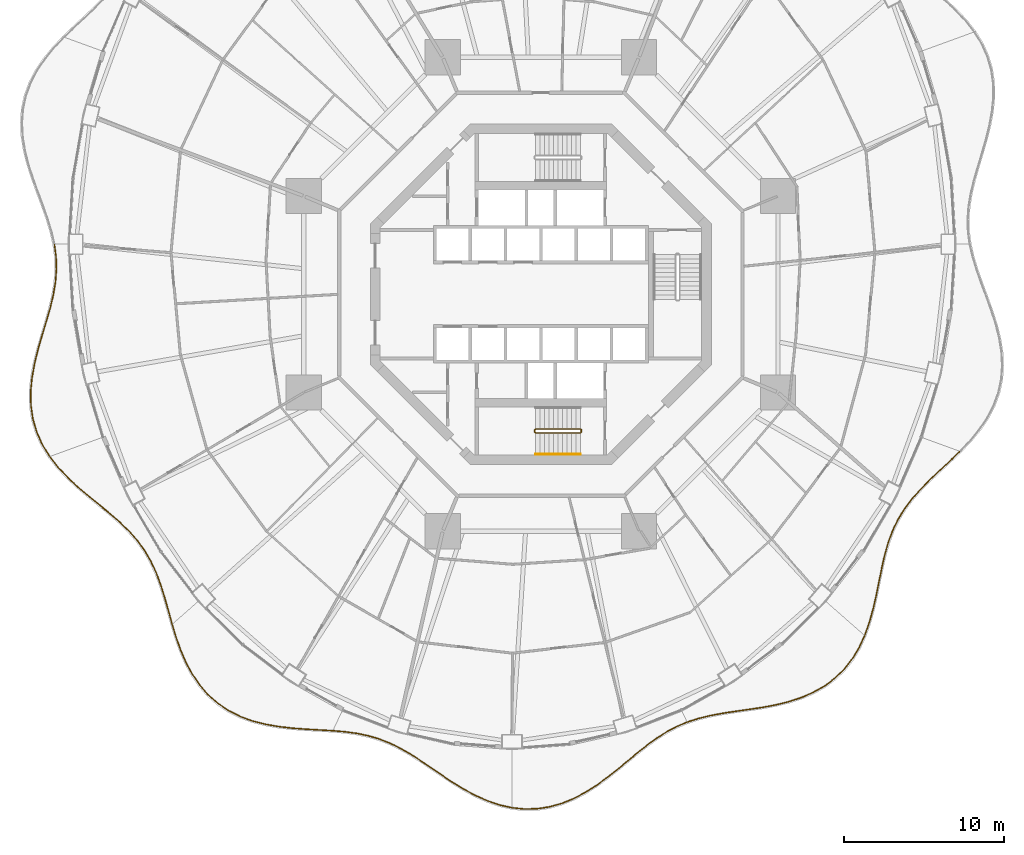
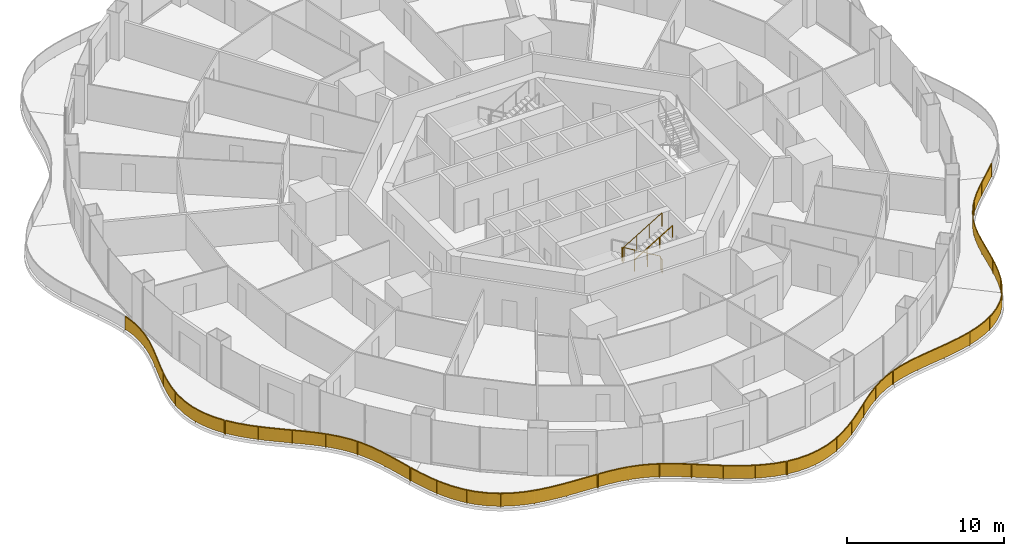
# One storey, part 22 of 24: 9 railings.
"""IFC4 building model written with IfcOpenShell, lengths in metres."""

from ifc_helpers import new_model, si_unit, direction, frame, origin, origin_2d, place, context, subcontext, project, spatial, polyline, rectangle, circle, outline, extrude, material, type_object, element, save


model = new_model("IFC4")

# Units and contexts
model_context = context("Model", 3, precision=1e-05, world=origin(), true_north=direction((0.0, 1.0)))
body_context = subcontext(model_context, "Body", "Model", "MODEL_VIEW")
ifc_project = project(units=[si_unit("LENGTHUNIT", "METRE"), si_unit("AREAUNIT", "SQUARE_METRE"), si_unit("VOLUMEUNIT", "CUBIC_METRE"), si_unit("PLANEANGLEUNIT", "RADIAN"), si_unit("MASSUNIT", "GRAM", prefix="KILO")], contexts=[model_context])

# Site, building, storey
site_placement = place(None, origin())
site = spatial("IfcSite", under=ifc_project, at=site_placement, CompositionType="ELEMENT")
building_placement = place(site_placement, origin())
building = spatial("IfcBuilding", under=site, at=building_placement, Name="Nagisa Residences", CompositionType="ELEMENT")
storey_placement = place(building_placement, frame((0.0, 0.0, 102.89990234375)))
storey = spatial("IfcBuildingStorey", under=building, at=storey_placement, Name="L25", CompositionType="ELEMENT", Elevation=102.89990234375)

# Railings
ifc_material_1 = material(Name="Stainless steel 316", Category="steel")
railing_type_1 = type_object("IfcRailingType", Name="BALCONY GUARD 1100", PredefinedType="BALUSTRADE", material=ifc_material_1)
railing_1_placement = place(storey_placement, frame((-30.3291015625, 3.0830078125, 0.0)))
element("IfcRailing", 1, at=railing_1_placement, inside=storey, type_object=railing_type_1, Name="guard:L25:bal08-0", PredefinedType="BALUSTRADE", context=body_context, shape_type="SweptSolid", body=[
    extrude(outline(polyline([(0.125732421875, -0.743896484375), (0.02490234375, 0.00341796875), (-0.02490234375, -0.00341796875), (0.075927734375, -0.747802734375), (0.098876953125, -1.53271484375), (0.0400390625, -2.3232421875), (-0.09423828125, -3.12548828125), (-0.28955078125, -3.94384765625), (-0.529052734375, -4.766845703125), (-0.78662109375, -5.62255859375), (-1.038330078125, -6.494384765625), (-1.25732421875, -7.378662109375), (-1.419189453125, -8.268310546875), (-1.50439453125, -9.141357421875), (-1.489013671875, -10.016357421875), (-1.3642578125, -10.8701171875), (-1.12451171875, -11.69384765625), (-0.771728515625, -12.48046875), (-0.336669921875, -13.184326171875), (-0.294189453125, -13.157958984375), (-0.727294921875, -12.45703125), (-1.07763671875, -11.6767578125), (-1.3154296875, -10.859375), (-1.439208984375, -10.012451171875), (-1.4541015625, -9.143310546875), (-1.369384765625, -8.275146484375), (-1.20849609375, -7.389404296875), (-0.989990234375, -6.507568359375), (-0.73876953125, -5.63671875), (-0.481201171875, -4.781005859375), (-0.2412109375, -3.95654296875), (-0.044921875, -3.13525390625), (0.08984375, -2.3291015625), (0.149169921875, -1.53369140625), (0.125732421875, -0.743896484375)])), frame((0.0, 0.0, 1.050048828125)), (0.0, 0.0, 1.0), 0.050048828125),
    extrude(outline(polyline([(0.10791015625, -0.745361328125), (0.0068359375, 0.0009765625), (-0.0068359375, -0.0009765625), (0.09375, -0.746337890625), (0.116943359375, -1.532958984375), (0.05810546875, -2.325439453125), (-0.076416015625, -3.12890625), (-0.272216796875, -3.948486328125), (-0.51171875, -4.77197265625), (-0.76953125, -5.627685546875), (-1.02099609375, -6.499267578125), (-1.23974609375, -7.382568359375), (-1.401123046875, -8.270751953125), (-1.486328125, -9.14208984375), (-1.47119140625, -10.014892578125), (-1.3466796875, -10.8662109375), (-1.107666015625, -11.687744140625), (-0.755615234375, -12.471923828125), (-0.3212890625, -13.1748046875), (-0.3095703125, -13.16748046875), (-0.743408203125, -12.465576171875), (-1.094482421875, -11.682861328125), (-1.3330078125, -10.86328125), (-1.45703125, -10.013916015625), (-1.47216796875, -9.142578125), (-1.387451171875, -8.272705078125), (-1.22607421875, -7.385498046875), (-1.00732421875, -6.502685546875), (-0.755859375, -5.631591796875), (-0.49853515625, -4.77587890625), (-0.258544921875, -3.951904296875), (-0.062744140625, -3.1318359375), (0.07177734375, -2.326904296875), (0.131103515625, -1.533447265625), (0.10791015625, -0.745361328125)])), frame((0.0, 0.0, 0.06005859375)), (0.0, 0.0, 1.0), 0.989990234375),
    extrude(rectangle(XDim=0.0400390625, YDim=0.0400390625, at=origin_2d()), origin(), (0.0, 0.0, 1.0), 1.050048828125),
    extrude(rectangle(XDim=0.0400390625, YDim=0.0400390625, at=origin_2d()), frame((0.06982421875, -2.259033203125, 0.0)), (0.0, 0.0, 1.0), 1.050048828125),
    extrude(rectangle(XDim=0.0400390625, YDim=0.0400390625, at=origin_2d()), frame((-0.4169921875, -4.471435546875, 0.0)), (0.0, 0.0, 1.0), 1.050048828125),
    extrude(rectangle(XDim=0.0400390625, YDim=0.0400390625, at=origin_2d()), frame((-1.05078125, -6.649169921875, 0.0)), (0.0, 0.0, 1.0), 1.050048828125),
    extrude(rectangle(XDim=0.0400390625, YDim=0.0400390625, at=origin_2d()), frame((-1.453369140625, -8.877685546875, 0.0)), (0.0, 0.0, 1.0), 1.050048828125),
    extrude(rectangle(XDim=0.0400390625, YDim=0.0400390625, at=origin_2d()), frame((-1.26416015625, -11.124755859375, 0.0)), (0.0, 0.0, 1.0), 1.050048828125),
    extrude(rectangle(XDim=0.0400390625, YDim=0.0400390625, at=origin_2d()), frame((-0.3154296875, -13.171142578125, 0.0)), (0.0, 0.0, 1.0), 1.050048828125),
])
railing_2_placement = place(storey_placement, frame((-30.599853515625, -10.1513671875, 0.0)))
element("IfcRailing", 2, at=railing_2_placement, inside=storey, type_object=railing_type_1, Name="guard:L25:bal09-0", PredefinedType="BALUSTRADE", context=body_context, shape_type="SweptSolid", body=[
    extrude(outline(polyline([(0.52197265625, -0.6240234375), (0.019775390625, 0.015380859375), (-0.019775390625, -0.015380859375), (0.48388671875, -0.65673828125), (1.08349609375, -1.2958984375), (1.73095703125, -1.89892578125), (2.404296875, -2.472412109375), (3.081298828125, -3.025390625), (3.734130859375, -3.55615234375), (4.357177734375, -4.10205078125), (4.93017578125, -4.662353515625), (5.44287109375, -5.247802734375), (5.890625, -5.86767578125), (6.26611328125, -6.516845703125), (6.5927734375, -7.2236328125), (6.872802734375, -7.9755859375), (7.120849609375, -8.768310546875), (7.354248046875, -9.593505859375), (7.577392578125, -10.395751953125), (7.625732421875, -10.382568359375), (7.402587890625, -9.579833984375), (7.168701171875, -8.754150390625), (6.920166015625, -7.95947265625), (6.63916015625, -7.20458984375), (6.310546875, -6.493896484375), (5.9326171875, -5.84033203125), (5.48193359375, -5.216552734375), (4.966796875, -4.627685546875), (4.391357421875, -4.0654296875), (3.766357421875, -3.51806640625), (3.113037109375, -2.98681640625), (2.4365234375, -2.433837890625), (1.76416015625, -1.861328125), (1.11865234375, -1.26025390625), (0.52197265625, -0.6240234375)])), frame((0.0, 0.0, 1.050048828125)), (0.0, 0.0, 1.0), 0.050048828125),
    extrude(outline(polyline([(0.50830078125, -0.6357421875), (0.005615234375, 0.00439453125), (-0.005615234375, -0.00439453125), (0.49755859375, -0.64501953125), (1.09619140625, -1.282958984375), (1.742919921875, -1.88525390625), (2.416015625, -2.45849609375), (3.0927734375, -3.011474609375), (3.745849609375, -3.54248046875), (4.36962890625, -4.0888671875), (4.943359375, -4.64990234375), (5.45703125, -5.236572265625), (5.90576171875, -5.85791015625), (6.2822265625, -6.508544921875), (6.609619140625, -7.216796875), (6.889892578125, -7.9697265625), (7.13818359375, -8.76318359375), (7.37158203125, -9.588623046875), (7.5947265625, -10.39111328125), (7.6083984375, -10.38720703125), (7.38525390625, -9.584716796875), (7.1513671875, -8.75927734375), (6.903076171875, -7.96533203125), (6.622314453125, -7.21142578125), (6.29443359375, -6.502197265625), (5.91748046875, -5.85009765625), (5.4677734375, -5.227783203125), (4.95361328125, -4.64013671875), (4.37890625, -4.07861328125), (3.754638671875, -3.53173828125), (3.1015625, -3.000732421875), (2.4248046875, -2.44775390625), (1.752197265625, -1.875), (1.10595703125, -1.273193359375), (0.50830078125, -0.6357421875)])), frame((0.0, 0.0, 0.06005859375)), (0.0, 0.0, 1.0), 0.989990234375),
    extrude(rectangle(XDim=0.0400390625, YDim=0.0400390625, at=origin_2d()), origin(), (0.0, 0.0, 1.0), 1.050048828125),
    extrude(rectangle(XDim=0.0400390625, YDim=0.0400390625, at=origin_2d()), frame((1.4765625, -1.6279296875, 0.0)), (0.0, 0.0, 1.0), 1.050048828125),
    extrude(rectangle(XDim=0.0400390625, YDim=0.0400390625, at=origin_2d()), frame((3.154541015625, -3.052734375, 0.0)), (0.0, 0.0, 1.0), 1.050048828125),
    extrude(rectangle(XDim=0.0400390625, YDim=0.0400390625, at=origin_2d()), frame((4.806640625, -4.50634765625, 0.0)), (0.0, 0.0, 1.0), 1.050048828125),
    extrude(rectangle(XDim=0.0400390625, YDim=0.0400390625, at=origin_2d()), frame((6.139892578125, -6.248779296875, 0.0)), (0.0, 0.0, 1.0), 1.050048828125),
    extrude(rectangle(XDim=0.0400390625, YDim=0.0400390625, at=origin_2d()), frame((6.9921875, -8.2734375, 0.0)), (0.0, 0.0, 1.0), 1.050048828125),
    extrude(rectangle(XDim=0.0400390625, YDim=0.0400390625, at=origin_2d()), frame((7.6015625, -10.38916015625, 0.0)), (0.0, 0.0, 1.0), 1.050048828125),
])
railing_3_placement = place(storey_placement, frame((-22.978271484375, -20.6142578125, 0.0)))
element("IfcRailing", 3, at=railing_3_placement, inside=storey, type_object=railing_type_1, Name="guard:L25:bal10-0", PredefinedType="BALUSTRADE", context=body_context, shape_type="SweptSolid", body=[
    extrude(outline(polyline([(0.255859375, -0.760498046875), (0.02392578125, 0.00732421875), (-0.02392578125, -0.00732421875), (0.20849609375, -0.776123046875), (0.49365234375, -1.578369140625), (0.828857421875, -2.355224609375), (1.22509765625, -3.09130859375), (1.689697265625, -3.77294921875), (2.2138671875, -4.376220703125), (2.821533203125, -4.9130859375), (3.49609375, -5.3671875), (4.2294921875, -5.736328125), (5.01220703125, -6.023193359375), (5.81787109375, -6.22607421875), (6.6591796875, -6.37255859375), (7.51123046875, -6.468994140625), (8.361083984375, -6.531494140625), (9.197509765625, -6.57861328125), (9.968017578125, -6.623779296875), (9.970947265625, -6.573974609375), (9.200439453125, -6.52880859375), (8.364501953125, -6.481689453125), (7.51611328125, -6.419189453125), (6.66650390625, -6.32275390625), (5.828125, -6.17724609375), (5.02685546875, -5.975341796875), (4.24951171875, -5.6904296875), (3.521484375, -5.32373046875), (2.852294921875, -4.87353515625), (2.24951171875, -4.341064453125), (1.729248046875, -3.7421875), (1.26806640625, -3.0654296875), (0.873779296875, -2.333251953125), (0.5400390625, -1.559814453125), (0.255859375, -0.760498046875)])), frame((0.0, 0.0, 1.050048828125)), (0.0, 0.0, 1.0), 0.050048828125),
    extrude(outline(polyline([(0.23876953125, -0.76611328125), (0.006591796875, 0.001953125), (-0.006591796875, -0.001953125), (0.2255859375, -0.7705078125), (0.51025390625, -1.571533203125), (0.844970703125, -2.34716796875), (1.240478515625, -3.08203125), (1.703857421875, -3.761962890625), (2.226806640625, -4.363525390625), (2.83251953125, -4.89892578125), (3.505126953125, -5.3515625), (4.23681640625, -5.7197265625), (5.017578125, -6.005859375), (5.821533203125, -6.20849609375), (6.661865234375, -6.3544921875), (7.512939453125, -6.451171875), (8.3623046875, -6.513671875), (9.198486328125, -6.560791015625), (9.968994140625, -6.60595703125), (9.969970703125, -6.591796875), (9.199462890625, -6.546630859375), (8.36328125, -6.49951171875), (7.514404296875, -6.43701171875), (6.663818359375, -6.3408203125), (5.824462890625, -6.19482421875), (5.021484375, -5.99267578125), (4.2421875, -5.70703125), (3.512451171875, -5.33935546875), (2.84130859375, -4.8876953125), (2.236572265625, -4.353759765625), (1.715087890625, -3.753173828125), (1.252685546875, -3.07470703125), (0.857666015625, -2.34130859375), (0.5234375, -1.566650390625), (0.23876953125, -0.76611328125)])), frame((0.0, 0.0, 0.06005859375)), (0.0, 0.0, 1.0), 0.989990234375),
    extrude(rectangle(XDim=0.0400390625, YDim=0.0400390625, at=origin_2d()), origin(), (0.0, 0.0, 1.0), 1.050048828125),
    extrude(rectangle(XDim=0.0400390625, YDim=0.0400390625, at=origin_2d()), frame((0.734619140625, -2.07373046875, 0.0)), (0.0, 0.0, 1.0), 1.050048828125),
    extrude(rectangle(XDim=0.0400390625, YDim=0.0400390625, at=origin_2d()), frame((1.874755859375, -3.94775390625, 0.0)), (0.0, 0.0, 1.0), 1.050048828125),
    extrude(rectangle(XDim=0.0400390625, YDim=0.0400390625, at=origin_2d()), frame((3.544921875, -5.363525390625, 0.0)), (0.0, 0.0, 1.0), 1.050048828125),
    extrude(rectangle(XDim=0.0400390625, YDim=0.0400390625, at=origin_2d()), frame((5.59521484375, -6.144287109375, 0.0)), (0.0, 0.0, 1.0), 1.050048828125),
    extrude(rectangle(XDim=0.0400390625, YDim=0.0400390625, at=origin_2d()), frame((7.771484375, -6.463134765625, 0.0)), (0.0, 0.0, 1.0), 1.050048828125),
    extrude(rectangle(XDim=0.0400390625, YDim=0.0400390625, at=origin_2d()), frame((9.969482421875, -6.598876953125, 0.0)), (0.0, 0.0, 1.0), 1.050048828125),
])
railing_4_placement = place(storey_placement, frame((-12.9345703125, -27.216552734375, 0.0)))
element("IfcRailing", 4, at=railing_4_placement, inside=storey, type_object=railing_type_1, Name="guard:L25:bal11-0", PredefinedType="BALUSTRADE", context=body_context, shape_type="SweptSolid", body=[
    extrude(outline(polyline([(0.71826171875, -0.036865234375), (0.002197265625, 0.02490234375), (-0.002197265625, -0.02490234375), (0.712890625, -0.086669921875), (1.444580078125, -0.187255859375), (2.148681640625, -0.332763671875), (2.827880859375, -0.530517578125), (3.487548828125, -0.785400390625), (4.11669921875, -1.09228515625), (4.7568359375, -1.456787109375), (5.398681640625, -1.865478515625), (6.048828125, -2.30615234375), (6.71435546875, -2.762939453125), (7.382080078125, -3.2158203125), (8.0908203125, -3.651123046875), (8.822998046875, -4.046875), (9.57763671875, -4.385009765625), (10.3515625, -4.6494140625), (11.091064453125, -4.817138671875), (11.102294921875, -4.768310546875), (10.365234375, -4.60107421875), (9.59619140625, -4.338623046875), (8.844970703125, -4.001953125), (8.11572265625, -3.607666015625), (7.409423828125, -3.173828125), (6.74267578125, -2.721435546875), (6.0771484375, -2.2646484375), (5.426025390625, -1.823486328125), (4.78271484375, -1.413818359375), (4.14013671875, -1.0478515625), (3.507568359375, -0.739501953125), (2.843994140625, -0.483154296875), (2.160888671875, -0.283935546875), (1.452880859375, -0.137939453125), (0.71826171875, -0.036865234375)])), frame((0.0, 0.0, 1.050048828125)), (0.0, 0.0, 1.0), 0.050048828125),
    extrude(outline(polyline([(0.71630859375, -0.0546875), (0.00048828125, 0.007080078125), (-0.00048828125, -0.007080078125), (0.71484375, -0.06884765625), (1.447509765625, -0.16943359375), (2.153076171875, -0.315185546875), (2.833740234375, -0.513427734375), (3.494873046875, -0.768798828125), (4.125244140625, -1.076171875), (4.76611328125, -1.44140625), (5.408447265625, -1.850341796875), (6.05908203125, -2.291259765625), (6.724609375, -2.748046875), (7.391845703125, -3.20068359375), (8.099853515625, -3.635498046875), (8.830810546875, -4.03076171875), (9.584228515625, -4.368408203125), (10.3564453125, -4.632080078125), (11.09521484375, -4.799560546875), (11.09814453125, -4.785888671875), (10.3603515625, -4.618408203125), (9.589599609375, -4.355224609375), (8.837158203125, -4.01806640625), (8.106689453125, -3.623291015625), (7.399658203125, -3.18896484375), (6.732421875, -2.736328125), (6.06689453125, -2.279541015625), (5.416259765625, -1.838623046875), (4.7734375, -1.42919921875), (4.131591796875, -1.06396484375), (3.500244140625, -0.756103515625), (2.838134765625, -0.500244140625), (2.156494140625, -0.301513671875), (1.449951171875, -0.15576171875), (0.71630859375, -0.0546875)])), frame((0.0, 0.0, 0.06005859375)), (0.0, 0.0, 1.0), 0.989990234375),
    extrude(rectangle(XDim=0.0400390625, YDim=0.0400390625, at=origin_2d()), origin(), (0.0, 0.0, 1.0), 1.050048828125),
    extrude(rectangle(XDim=0.0400390625, YDim=0.0400390625, at=origin_2d()), frame((2.021240234375, -0.28076171875, 0.0)), (0.0, 0.0, 1.0), 1.050048828125),
    extrude(rectangle(XDim=0.0400390625, YDim=0.0400390625, at=origin_2d()), frame((3.93603515625, -0.976318359375, 0.0)), (0.0, 0.0, 1.0), 1.050048828125),
    extrude(rectangle(XDim=0.0400390625, YDim=0.0400390625, at=origin_2d()), frame((5.684814453125, -2.029052734375, 0.0)), (0.0, 0.0, 1.0), 1.050048828125),
    extrude(rectangle(XDim=0.0400390625, YDim=0.0400390625, at=origin_2d()), frame((7.373046875, -3.179443359375, 0.0)), (0.0, 0.0, 1.0), 1.050048828125),
    extrude(rectangle(XDim=0.0400390625, YDim=0.0400390625, at=origin_2d()), frame((9.157470703125, -4.16943359375, 0.0)), (0.0, 0.0, 1.0), 1.050048828125),
    extrude(rectangle(XDim=0.0400390625, YDim=0.0400390625, at=origin_2d()), frame((11.0966796875, -4.792724609375, 0.0)), (0.0, 0.0, 1.0), 1.050048828125),
])
railing_5_placement = place(storey_placement, frame((-1.761474609375, -32.022216796875, 0.0)))
element("IfcRailing", 5, at=railing_5_placement, inside=storey, type_object=railing_type_1, Name="guard:L25:bal12-0", PredefinedType="BALUSTRADE", context=body_context, shape_type="SweptSolid", body=[
    extrude(outline(polyline([(0.745849609375, -0.051513671875), (0.00244140625, 0.02490234375), (-0.00244140625, -0.02490234375), (0.743896484375, -0.101806640625), (1.53955078125, -0.0810546875), (2.327880859375, 0.041259765625), (3.1015625, 0.26123046875), (3.85400390625, 0.570068359375), (4.565185546875, 0.952880859375), (5.265869140625, 1.3984375), (5.938720703125, 1.88720703125), (6.586181640625, 2.400146484375), (7.212158203125, 2.918212890625), (7.8056640625, 3.418701171875), (8.40771484375, 3.895751953125), (9.009765625, 4.331787109375), (9.620361328125, 4.7177734375), (10.247314453125, 5.048828125), (10.8583984375, 5.307373046875), (10.8388671875, 5.353271484375), (10.225830078125, 5.09423828125), (9.595458984375, 4.76123046875), (8.98193359375, 4.373291015625), (8.37744140625, 3.935791015625), (7.77392578125, 3.457275390625), (7.179931640625, 2.956787109375), (6.554443359375, 2.439208984375), (5.908447265625, 1.92724609375), (5.237548828125, 1.43994140625), (4.539794921875, 0.995849609375), (3.83251953125, 0.615478515625), (3.0849609375, 0.30859375), (2.317138671875, 0.090087890625), (1.53515625, -0.03125), (0.745849609375, -0.051513671875)])), frame((0.0, 0.0, 1.050048828125)), (0.0, 0.0, 1.0), 0.050048828125),
    extrude(outline(polyline([(0.7451171875, -0.069580078125), (0.000732421875, 0.007080078125), (-0.000732421875, -0.007080078125), (0.74462890625, -0.083740234375), (1.5380859375, -0.063232421875), (2.323974609375, 0.058837890625), (3.095458984375, 0.2783203125), (3.84619140625, 0.58642578125), (4.55615234375, 0.96826171875), (5.255615234375, 1.413330078125), (5.927734375, 1.901611328125), (6.57470703125, 2.414306640625), (7.200439453125, 2.93212890625), (7.794189453125, 3.4326171875), (8.396728515625, 3.91015625), (8.999755859375, 4.3466796875), (9.611328125, 4.7333984375), (10.239501953125, 5.065185546875), (10.851318359375, 5.323974609375), (10.845947265625, 5.336669921875), (10.233642578125, 5.077880859375), (9.6044921875, 4.74560546875), (8.991943359375, 4.3583984375), (8.388427734375, 3.92138671875), (7.785400390625, 3.443359375), (7.191650390625, 2.94287109375), (6.56591796875, 2.425048828125), (5.91943359375, 1.912841796875), (5.247802734375, 1.425048828125), (4.548828125, 0.98046875), (3.84033203125, 0.59912109375), (3.091064453125, 0.29150390625), (2.321044921875, 0.072509765625), (1.53662109375, -0.049072265625), (0.7451171875, -0.069580078125)])), frame((0.0, 0.0, 0.06005859375)), (0.0, 0.0, 1.0), 0.989990234375),
    extrude(rectangle(XDim=0.0400390625, YDim=0.0400390625, at=origin_2d()), origin(), (0.0, 0.0, 1.0), 1.050048828125),
    extrude(rectangle(XDim=0.0400390625, YDim=0.0400390625, at=origin_2d()), frame((2.06298828125, 0.025390625, 0.0)), (0.0, 0.0, 1.0), 1.050048828125),
    extrude(rectangle(XDim=0.0400390625, YDim=0.0400390625, at=origin_2d()), frame((4.01806640625, 0.686767578125, 0.0)), (0.0, 0.0, 1.0), 1.050048828125),
    extrude(rectangle(XDim=0.0400390625, YDim=0.0400390625, at=origin_2d()), frame((5.767822265625, 1.7939453125, 0.0)), (0.0, 0.0, 1.0), 1.050048828125),
    extrude(rectangle(XDim=0.0400390625, YDim=0.0400390625, at=origin_2d()), frame((7.382080078125, 3.094482421875, 0.0)), (0.0, 0.0, 1.0), 1.050048828125),
    extrude(rectangle(XDim=0.0400390625, YDim=0.0400390625, at=origin_2d()), frame((9.01806640625, 4.366455078125, 0.0)), (0.0, 0.0, 1.0), 1.050048828125),
    extrude(rectangle(XDim=0.0400390625, YDim=0.0400390625, at=origin_2d()), frame((10.8486328125, 5.330322265625, 0.0)), (0.0, 0.0, 1.0), 1.050048828125),
])
railing_6_placement = place(storey_placement, frame((9.152099609375, -26.66845703125, 0.0)))
element("IfcRailing", 6, at=railing_6_placement, inside=storey, type_object=railing_type_1, Name="guard:L25:bal13-0", PredefinedType="BALUSTRADE", context=body_context, shape_type="SweptSolid", body=[
    extrude(outline(polyline([(0.65869140625, 0.240478515625), (-0.0078125, 0.023681640625), (0.0078125, -0.023681640625), (0.67236328125, 0.192138671875), (1.41015625, 0.373291015625), (2.18115234375, 0.517333984375), (2.982177734375, 0.639404296875), (3.806884765625, 0.755859375), (4.63134765625, 0.875732421875), (5.471923828125, 1.0341796875), (6.30126953125, 1.23828125), (7.10498046875, 1.501708984375), (7.86865234375, 1.834716796875), (8.56787109375, 2.233642578125), (9.2158203125, 2.722412109375), (9.7919921875, 3.288818359375), (10.2919921875, 3.927490234375), (10.71533203125, 4.62939453125), (11.044189453125, 5.341552734375), (10.998779296875, 5.362548828125), (10.6708984375, 4.65283203125), (10.25048828125, 3.955810546875), (9.75439453125, 3.322021484375), (9.18310546875, 2.760498046875), (8.54052734375, 2.275634765625), (7.84619140625, 1.879638671875), (7.0869140625, 1.548583984375), (6.28759765625, 1.28662109375), (5.461181640625, 1.0830078125), (4.623046875, 0.925048828125), (3.799560546875, 0.80517578125), (2.974853515625, 0.688720703125), (2.1728515625, 0.566650390625), (1.3994140625, 0.422119140625), (0.65869140625, 0.240478515625)])), frame((0.0, 0.0, 1.050048828125)), (0.0, 0.0, 1.0), 0.050048828125),
    extrude(outline(polyline([(0.66357421875, 0.22314453125), (-0.002197265625, 0.006591796875), (0.002197265625, -0.006591796875), (0.66748046875, 0.20947265625), (1.40625, 0.390869140625), (2.17822265625, 0.53515625), (2.9794921875, 0.6572265625), (3.80419921875, 0.773681640625), (4.62841796875, 0.8935546875), (5.468017578125, 1.0517578125), (6.29638671875, 1.255615234375), (7.098388671875, 1.5185546875), (7.860595703125, 1.850830078125), (8.55810546875, 2.248779296875), (9.2041015625, 2.736083984375), (9.7783203125, 3.30078125), (10.277099609375, 3.937744140625), (10.69921875, 4.637939453125), (11.02783203125, 5.34912109375), (11.01513671875, 5.35498046875), (10.68701171875, 4.644287109375), (10.265380859375, 3.945556640625), (9.76806640625, 3.31005859375), (9.19482421875, 2.746826171875), (8.55029296875, 2.260498046875), (7.854248046875, 1.863525390625), (7.093505859375, 1.53173828125), (6.29248046875, 1.269287109375), (5.465087890625, 1.0654296875), (4.6259765625, 0.9072265625), (3.80224609375, 0.787353515625), (2.9775390625, 0.6708984375), (2.17578125, 0.548828125), (1.4033203125, 0.404541015625), (0.66357421875, 0.22314453125)])), frame((0.0, 0.0, 0.06005859375)), (0.0, 0.0, 1.0), 0.989990234375),
    extrude(rectangle(XDim=0.0400390625, YDim=0.0400390625, at=origin_2d()), origin(), (0.0, 0.0, 1.0), 1.050048828125),
    extrude(rectangle(XDim=0.0400390625, YDim=0.0400390625, at=origin_2d()), frame((2.08642578125, 0.525146484375, 0.0)), (0.0, 0.0, 1.0), 1.050048828125),
    extrude(rectangle(XDim=0.0400390625, YDim=0.0400390625, at=origin_2d()), frame((4.217529296875, 0.8408203125, 0.0)), (0.0, 0.0, 1.0), 1.050048828125),
    extrude(rectangle(XDim=0.0400390625, YDim=0.0400390625, at=origin_2d()), frame((6.326416015625, 1.27294921875, 0.0)), (0.0, 0.0, 1.0), 1.050048828125),
    extrude(rectangle(XDim=0.0400390625, YDim=0.0400390625, at=origin_2d()), frame((8.303955078125, 2.11181640625, 0.0)), (0.0, 0.0, 1.0), 1.050048828125),
    extrude(rectangle(XDim=0.0400390625, YDim=0.0400390625, at=origin_2d()), frame((9.929443359375, 3.505126953125, 0.0)), (0.0, 0.0, 1.0), 1.050048828125),
    extrude(rectangle(XDim=0.0400390625, YDim=0.0400390625, at=origin_2d()), frame((11.021484375, 5.35205078125, 0.0)), (0.0, 0.0, 1.0), 1.050048828125),
])
railing_7_placement = place(storey_placement, frame((20.2021484375, -21.24462890625, 0.0)))
element("IfcRailing", 7, at=railing_7_placement, inside=storey, type_object=railing_type_1, Name="guard:L25:bal14-0", PredefinedType="BALUSTRADE", context=body_context, shape_type="SweptSolid", body=[
    extrude(outline(polyline([(0.255615234375, 0.795166015625), (-0.023681640625, 0.00830078125), (0.023681640625, -0.00830078125), (0.303466796875, 0.780029296875), (0.54248046875, 1.63818359375), (0.73974609375, 2.505126953125), (0.91357421875, 3.365966796875), (1.08447265625, 4.20654296875), (1.263427734375, 5.00390625), (1.4853515625, 5.775390625), (1.757080078125, 6.505615234375), (2.08935546875, 7.194580078125), (2.48828125, 7.845947265625), (2.947998046875, 8.453857421875), (3.477294921875, 9.052734375), (4.05859375, 9.64013671875), (4.67724609375, 10.2265625), (5.314453125, 10.822998046875), (5.91650390625, 11.405029296875), (5.8818359375, 11.441162109375), (5.27978515625, 10.859130859375), (4.64306640625, 10.26318359375), (4.0234375, 9.67578125), (3.440673828125, 9.0869140625), (2.909423828125, 8.485595703125), (2.44677734375, 7.874267578125), (2.04541015625, 7.218505859375), (1.711181640625, 6.525146484375), (1.43798828125, 5.791015625), (1.215087890625, 5.01611328125), (1.03564453125, 4.216796875), (0.86474609375, 3.375732421875), (0.69091796875, 2.515869140625), (0.494140625, 1.650390625), (0.255615234375, 0.795166015625)])), frame((0.0, 0.0, 1.050048828125)), (0.0, 0.0, 1.0), 0.050048828125),
    extrude(outline(polyline([(0.27294921875, 0.789794921875), (-0.006591796875, 0.00244140625), (0.006591796875, -0.00244140625), (0.2861328125, 0.785400390625), (0.525146484375, 1.642578125), (0.72216796875, 2.509033203125), (0.89599609375, 3.369384765625), (1.06689453125, 4.210205078125), (1.24609375, 5.00830078125), (1.46826171875, 5.781005859375), (1.740478515625, 6.5126953125), (2.073486328125, 7.203125), (2.473388671875, 7.856201171875), (2.93408203125, 8.46533203125), (3.464111328125, 9.06494140625), (4.0458984375, 9.653076171875), (4.6650390625, 10.23974609375), (5.302001953125, 10.8359375), (5.904052734375, 11.41796875), (5.894287109375, 11.42822265625), (5.292236328125, 10.84619140625), (4.6552734375, 10.25), (4.0361328125, 9.662841796875), (3.453857421875, 9.07470703125), (2.92333984375, 8.47412109375), (2.461669921875, 7.864013671875), (2.061279296875, 7.2099609375), (1.727783203125, 6.51806640625), (1.455078125, 5.785400390625), (1.232421875, 5.01171875), (1.05322265625, 4.213134765625), (0.88232421875, 3.372314453125), (0.70849609375, 2.511962890625), (0.511474609375, 1.64599609375), (0.27294921875, 0.789794921875)])), frame((0.0, 0.0, 0.06005859375)), (0.0, 0.0, 1.0), 0.989990234375),
    extrude(rectangle(XDim=0.0400390625, YDim=0.0400390625, at=origin_2d()), origin(), (0.0, 0.0, 1.0), 1.050048828125),
    extrude(rectangle(XDim=0.0400390625, YDim=0.0400390625, at=origin_2d()), frame((0.625244140625, 2.1142578125, 0.0)), (0.0, 0.0, 1.0), 1.050048828125),
    extrude(rectangle(XDim=0.0400390625, YDim=0.0400390625, at=origin_2d()), frame((1.07421875, 4.275146484375, 0.0)), (0.0, 0.0, 1.0), 1.050048828125),
    extrude(rectangle(XDim=0.0400390625, YDim=0.0400390625, at=origin_2d()), frame((1.688232421875, 6.391845703125, 0.0)), (0.0, 0.0, 1.0), 1.050048828125),
    extrude(rectangle(XDim=0.0400390625, YDim=0.0400390625, at=origin_2d()), frame((2.794189453125, 8.2919921875, 0.0)), (0.0, 0.0, 1.0), 1.050048828125),
    extrude(rectangle(XDim=0.0400390625, YDim=0.0400390625, at=origin_2d()), frame((4.29931640625, 9.90283203125, 0.0)), (0.0, 0.0, 1.0), 1.050048828125),
    extrude(rectangle(XDim=0.0400390625, YDim=0.0400390625, at=origin_2d()), frame((5.899169921875, 11.423095703125, 0.0)), (0.0, 0.0, 1.0), 1.050048828125),
])
ifc_material_2 = material(Name="Stainless steel", Category="steel")
railing_type_2 = type_object("IfcRailingType", Name="Stair guard 1100", PredefinedType="GUARDRAIL", material=ifc_material_2)
railing_8_placement = place(storey_placement, frame((2.52490234375, -8.599609375, 0.0)))
element("IfcRailing", 8, at=railing_8_placement, inside=storey, type_object=railing_type_2, Name="L25 ST-S stair guard 1", PredefinedType="GUARDRAIL", context=body_context, shape_type="SweptSolid", body=[
    extrude(circle(Radius=0.02392578125, at=origin_2d()), frame((0.0, 0.0, 1.076171875), z_axis=(0.0, 1.0, 0.0), x_axis=(-1.0, 0.0, 0.0)), (0.0, 0.0, 1.0), 0.14990234375),
    extrude(circle(Radius=0.02392578125, at=origin_2d()), frame((0.0, 0.14990234375, 1.076171875), z_axis=(-0.273006030465, 0.27434429532, 0.922064485248), x_axis=(-0.708833529934, -0.705375805398, 0.0)), (0.0, 0.0, 1.0), 0.182373046875),
    extrude(circle(Radius=0.02392578125, at=origin_2d()), frame((-0.0498046875, 0.199951171875, 1.244140625), z_axis=(-0.857242210791, 0.0, 0.514913383045), x_axis=(0.0, -1.0, 0.0)), (0.0, 0.0, 1.0), 3.266357421875),
    extrude(circle(Radius=0.02392578125, at=origin_2d()), frame((-2.849853515625, 0.199951171875, 2.92626953125), z_axis=(-0.707106781187, -0.707106781187, 0.0), x_axis=(0.707106781187, -0.707106781187, 0.0)), (0.0, 0.0, 1.0), 0.07080078125),
    extrude(circle(Radius=0.02392578125, at=origin_2d()), frame((-2.89990234375, 0.14990234375, 2.92626953125), z_axis=(0.0, -1.0, 0.0), x_axis=(1.0, 0.0, 0.0)), (0.0, 0.0, 1.0), 0.14990234375),
    extrude(circle(Radius=0.02392578125, at=origin_2d()), frame((-2.89990234375, 0.0, 2.92626953125), z_axis=(0.274243871929, -0.274243871929, 0.92172696468), x_axis=(0.707106781187, 0.707106781187, 0.0)), (0.0, 0.0, 1.0), 0.1826171875),
    extrude(circle(Radius=0.02392578125, at=origin_2d()), frame((-2.849853515625, -0.050048828125, 3.09423828125), z_axis=(0.857242210791, 0.0, 0.514913383045), x_axis=(0.0, 1.0, 0.0)), (0.0, 0.0, 1.0), 3.266357421875),
    extrude(circle(Radius=0.02099609375, at=origin_2d()), origin(), (0.0, 0.0, 1.0), 1.052001953125),
    extrude(circle(Radius=0.02099609375, at=origin_2d()), frame((0.0, 0.14990234375, 0.0)), (0.0, 0.0, 1.0), 1.052001953125),
    extrude(circle(Radius=0.02099609375, at=origin_2d()), frame((-0.0498046875, 0.199951171875, 0.168212890625)), (0.0, 0.0, 1.0), 1.052001953125),
    extrude(circle(Radius=0.02099609375, at=origin_2d()), frame((-0.983154296875, 0.199951171875, 0.728759765625)), (0.0, 0.0, 1.0), 1.052001953125),
    extrude(circle(Radius=0.02099609375, at=origin_2d()), frame((-1.91650390625, 0.199951171875, 1.28955078125)), (0.0, 0.0, 1.0), 1.052001953125),
    extrude(circle(Radius=0.02099609375, at=origin_2d()), frame((-2.849853515625, 0.199951171875, 1.85009765625)), (0.0, 0.0, 1.0), 1.052001953125),
    extrude(circle(Radius=0.02099609375, at=origin_2d()), frame((-2.89990234375, 0.14990234375, 1.85009765625)), (0.0, 0.0, 1.0), 1.052001953125),
    extrude(circle(Radius=0.02099609375, at=origin_2d()), frame((-2.89990234375, 0.0, 1.85009765625)), (0.0, 0.0, 1.0), 1.052001953125),
    extrude(circle(Radius=0.02099609375, at=origin_2d()), frame((-2.849853515625, -0.050048828125, 2.018310546875)), (0.0, 0.0, 1.0), 1.052001953125),
    extrude(circle(Radius=0.02099609375, at=origin_2d()), frame((-1.91650390625, -0.050048828125, 2.578857421875)), (0.0, 0.0, 1.0), 1.052001953125),
    extrude(circle(Radius=0.02099609375, at=origin_2d()), frame((-0.983154296875, -0.050048828125, 3.1396484375)), (0.0, 0.0, 1.0), 1.052001953125),
    extrude(circle(Radius=0.02099609375, at=origin_2d()), frame((-0.0498046875, -0.050048828125, 3.7001953125)), (0.0, 0.0, 1.0), 1.052001953125),
])
ifc_material_3 = material(Name="Stainless steel", Category="steel")
railing_type_3 = type_object("IfcRailingType", Name="Stair handrail 900", PredefinedType="HANDRAIL", material=ifc_material_3)
railing_9_placement = place(storey_placement, frame((-0.324951171875, -9.974609375, 2.018310546875)))
element("IfcRailing", 9, at=railing_9_placement, inside=storey, type_object=railing_type_3, Name="L25 ST-S stair handrail 2", PredefinedType="HANDRAIL", context=body_context, shape_type="SweptSolid", body=[
    extrude(circle(Radius=0.02392578125, at=origin_2d()), frame((0.0, 0.0, 0.8759765625), z_axis=(0.857242210791, 0.0, 0.514913383045), x_axis=(0.0, 1.0, 0.0)), (0.0, 0.0, 1.0), 3.266357421875),
    extrude(circle(Radius=0.02099609375, at=origin_2d()), origin(), (0.0, 0.0, 1.0), 0.851806640625),
    extrude(circle(Radius=0.02099609375, at=origin_2d()), frame((0.933349609375, 0.0, 0.560546875)), (0.0, 0.0, 1.0), 0.851806640625),
    extrude(circle(Radius=0.02099609375, at=origin_2d()), frame((1.86669921875, 0.0, 1.121337890625)), (0.0, 0.0, 1.0), 0.851806640625),
    extrude(circle(Radius=0.02099609375, at=origin_2d()), frame((2.800048828125, 0.0, 1.681884765625)), (0.0, 0.0, 1.0), 0.851806640625),
])

save(model, "model.ifc")
